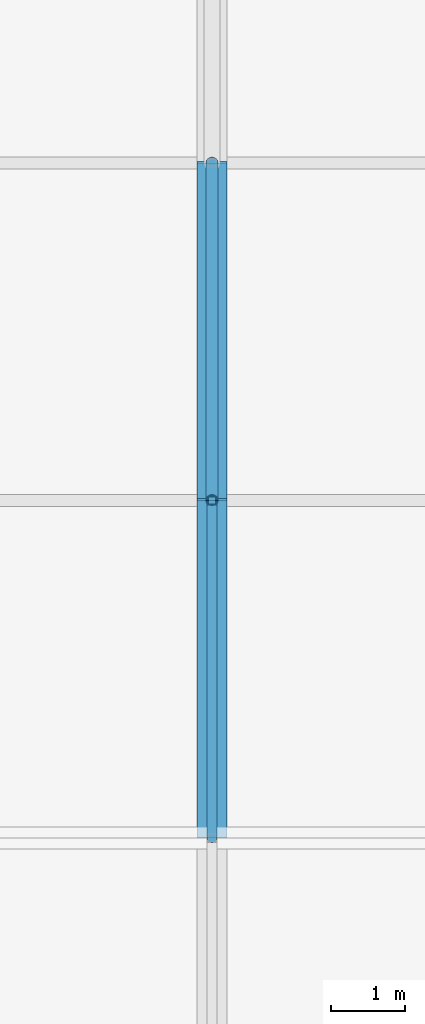
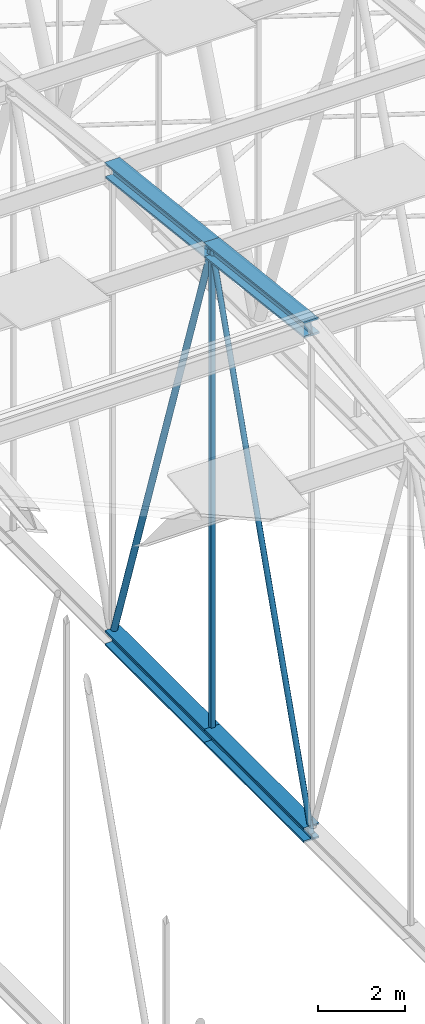
# One storey, part 259 of 500: 7 members.
"""IFC4 building model written with IfcOpenShell, lengths in metres."""

from ifc_helpers import new_model, si_unit, direction, frame, origin, origin_2d, place, context, subcontext, project, spatial, hollow_rectangle, hollow_circle, i_section, extrude, material, material_profile, profile_set, type_object, element, save


model = new_model("IFC4")

# Units and contexts
model_context = context("Model", 3, precision=1e-05, world=origin(), true_north=direction((0.0, 1.0)))
body_context = subcontext(model_context, "Body", "Model", "MODEL_VIEW")
ifc_project = project(units=[si_unit("LENGTHUNIT", "METRE"), si_unit("AREAUNIT", "SQUARE_METRE"), si_unit("VOLUMEUNIT", "CUBIC_METRE"), si_unit("PLANEANGLEUNIT", "RADIAN"), si_unit("MASSUNIT", "GRAM", prefix="KILO")], contexts=[model_context])

# Site, building, storey
site_placement = place(None, origin())
site = spatial("IfcSite", under=ifc_project, at=site_placement, CompositionType="ELEMENT")
building_placement = place(site_placement, origin())
building = spatial("IfcBuilding", under=site, at=building_placement, Name="Shirokan Park Arena", CompositionType="ELEMENT")
storey_placement = place(building_placement, frame((0.0, 0.0, 29.1201171875)))
storey = spatial("IfcBuildingStorey", under=building, at=storey_placement, Name="L06", CompositionType="ELEMENT", Elevation=29.1201171875)

# Members
ifc_material_1 = material(Name="Steel ASTM A992", Category="steel")
ifc_material_profile_1 = material_profile(ifc_material_1, i_section(OverallWidth=0.406005859375, OverallDepth=0.4169921875, WebThickness=0.030029296875, FlangeThickness=0.048095703125, at=origin_2d()), Name="W360X382")
ifc_profile_set_1 = profile_set([ifc_material_profile_1], Name="Steel ASTM A992")
member_type_1 = type_object("IfcMemberType", Name="Bottom chord W360X382", PredefinedType="CHORD", material=ifc_profile_set_1)
member_1_placement = place(storey_placement, frame((81.89990234375, 54.60009765625, 4.677001953125), z_axis=(0.0, 1.0, 0.0), x_axis=(-1.0, 0.0, 0.0)))
element("IfcMember", 1, at=member_1_placement, inside=storey, type_object=member_type_1, Name="Truss T10 bottom chord 15", PredefinedType="CHORD", context=body_context, shape_type="SweptSolid", body=[
    extrude(i_section(OverallWidth=0.406005859375, OverallDepth=0.4169921875, WebThickness=0.030029296875, FlangeThickness=0.048095703125, at=origin_2d()), origin(), (0.0, 0.0, 1.0), 4.5498046875),
])
member_2_placement = place(storey_placement, frame((81.89990234375, 59.14990234375, 4.677001953125), z_axis=(0.0, 1.0, 0.0), x_axis=(-1.0, 0.0, 0.0)))
element("IfcMember", 2, at=member_2_placement, inside=storey, type_object=member_type_1, Name="Truss T10 bottom chord 16", PredefinedType="CHORD", context=body_context, shape_type="SweptSolid", body=[
    extrude(i_section(OverallWidth=0.406005859375, OverallDepth=0.4169921875, WebThickness=0.030029296875, FlangeThickness=0.048095703125, at=origin_2d()), origin(), (0.0, 0.0, 1.0), 4.550048828125),
])
ifc_material_profile_2 = material_profile(ifc_material_1, i_section(OverallWidth=0.406005859375, OverallDepth=0.4169921875, WebThickness=0.030029296875, FlangeThickness=0.048095703125, at=origin_2d()), Name="W360X382")
ifc_profile_set_2 = profile_set([ifc_material_profile_2], Name="Steel ASTM A992")
member_type_2 = type_object("IfcMemberType", Name="Top chord W360X382", PredefinedType="CHORD", material=ifc_profile_set_2)
member_3_placement = place(storey_placement, frame((81.89990234375, 54.60009765625, 18.781494140625), z_axis=(0.0, 0.993531641592, -0.11355561261), x_axis=(-1.0, 0.0, 0.0)))
element("IfcMember", 3, at=member_3_placement, inside=storey, type_object=member_type_2, Name="Truss T10 top chord 15", PredefinedType="CHORD", context=body_context, shape_type="SweptSolid", body=[
    extrude(i_section(OverallWidth=0.406005859375, OverallDepth=0.4169921875, WebThickness=0.030029296875, FlangeThickness=0.048095703125, at=origin_2d()), origin(), (0.0, 0.0, 1.0), 4.579345703125),
])
member_4_placement = place(storey_placement, frame((81.89990234375, 59.14990234375, 18.261474609375), z_axis=(0.0, 0.993532328996, -0.113549598152), x_axis=(-1.0, 0.0, 0.0)))
element("IfcMember", 4, at=member_4_placement, inside=storey, type_object=member_type_2, Name="Truss T10 top chord 16", PredefinedType="CHORD", context=body_context, shape_type="SweptSolid", body=[
    extrude(i_section(OverallWidth=0.406005859375, OverallDepth=0.4169921875, WebThickness=0.030029296875, FlangeThickness=0.048095703125, at=origin_2d()), origin(), (0.0, 0.0, 1.0), 4.57958984375),
])
ifc_material_2 = material(Name="Steel ASTM A500 Grade C", Category="steel")
ifc_material_profile_3 = material_profile(ifc_material_2, hollow_circle(Radius=0.070556640625, WallThickness=0.006591796875, at=origin_2d()), Name="HSS141.3X6.6")
ifc_profile_set_3 = profile_set([ifc_material_profile_3], Name="Steel ASTM A500 Grade C")
member_type_3 = type_object("IfcMemberType", Name="Truss diagonal HSS141.3X6.6", PredefinedType="BRACE", material=ifc_profile_set_3)
member_5_placement = place(storey_placement, frame((81.89990234375, 54.60009765625, 4.677001953125), z_axis=(0.0, 0.317587361237, 0.948229016632), x_axis=(-1.0, 0.0, 0.0)))
element("IfcMember", 5, at=member_5_placement, inside=storey, type_object=member_type_3, Name="Truss T10 diagonal 15", PredefinedType="BRACE", context=body_context, shape_type="SweptSolid", body=[
    extrude(hollow_circle(Radius=0.070556640625, WallThickness=0.006591796875, at=origin_2d()), origin(), (0.0, 0.0, 1.0), 14.326171875),
])
ifc_material_profile_4 = material_profile(ifc_material_2, hollow_circle(Radius=0.083984375, WallThickness=0.009521484375, at=origin_2d()), Name="HSS168.3X9.5")
ifc_profile_set_4 = profile_set([ifc_material_profile_4], Name="Steel ASTM A500 Grade C")
member_type_4 = type_object("IfcMemberType", Name="Truss diagonal HSS168.3X9.5", PredefinedType="BRACE", material=ifc_profile_set_4)
member_6_placement = place(storey_placement, frame((81.89990234375, 59.14990234375, 18.261474609375), z_axis=(0.0, 0.317602683872, -0.948223884532), x_axis=(-1.0, 0.0, 0.0)))
element("IfcMember", 6, at=member_6_placement, inside=storey, type_object=member_type_4, Name="Truss T10 diagonal 16", PredefinedType="BRACE", context=body_context, shape_type="SweptSolid", body=[
    extrude(hollow_circle(Radius=0.083984375, WallThickness=0.009521484375, at=origin_2d()), origin(), (0.0, 0.0, 1.0), 14.326171875),
])
ifc_material_profile_5 = material_profile(ifc_material_2, hollow_rectangle(XDim=0.114013671875, YDim=0.114013671875, WallThickness=0.00634765625, at=origin_2d()), Name="HSS114.3X114.3X6.4")
ifc_profile_set_5 = profile_set([ifc_material_profile_5], Name="Steel ASTM A500 Grade C")
member_type_5 = type_object("IfcMemberType", Name="Truss post HSS114.3X114.3X6.4", PredefinedType="POST", material=ifc_profile_set_5)
member_7_placement = place(storey_placement, frame((81.89990234375, 59.14990234375, 4.677001953125), z_axis=(0.0, 0.0, 1.0), x_axis=(1.0, 0.0, 0.0)))
element("IfcMember", 7, at=member_7_placement, inside=storey, type_object=member_type_5, Name="Truss T10 post 16", PredefinedType="POST", context=body_context, shape_type="SweptSolid", body=[
    extrude(hollow_rectangle(XDim=0.114013671875, YDim=0.114013671875, WallThickness=0.00634765625, at=origin_2d()), origin(), (0.0, 0.0, 1.0), 13.58447265625),
])

save(model, "model.ifc")
